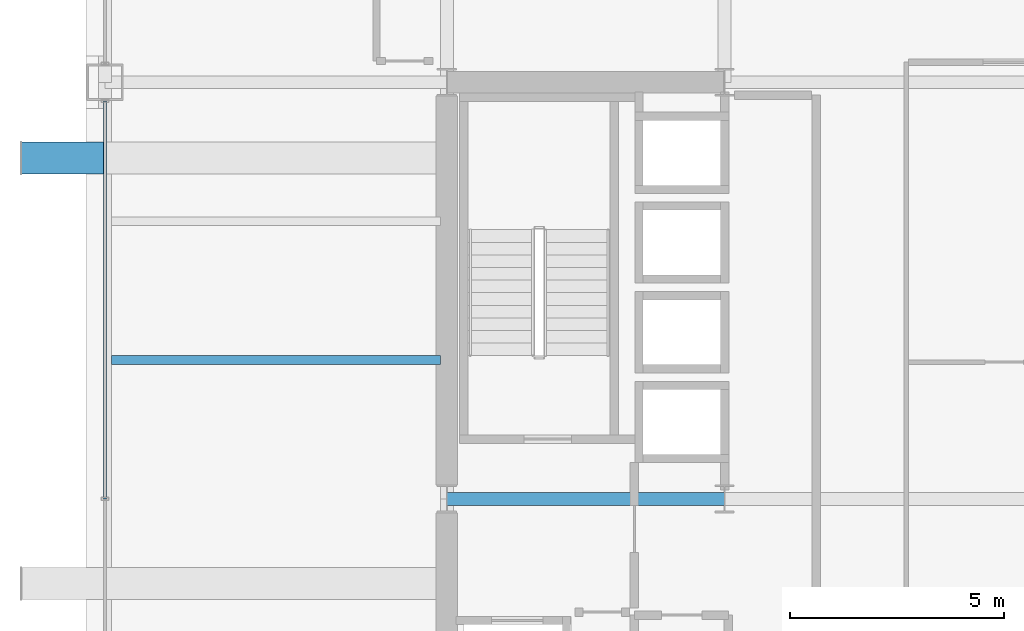
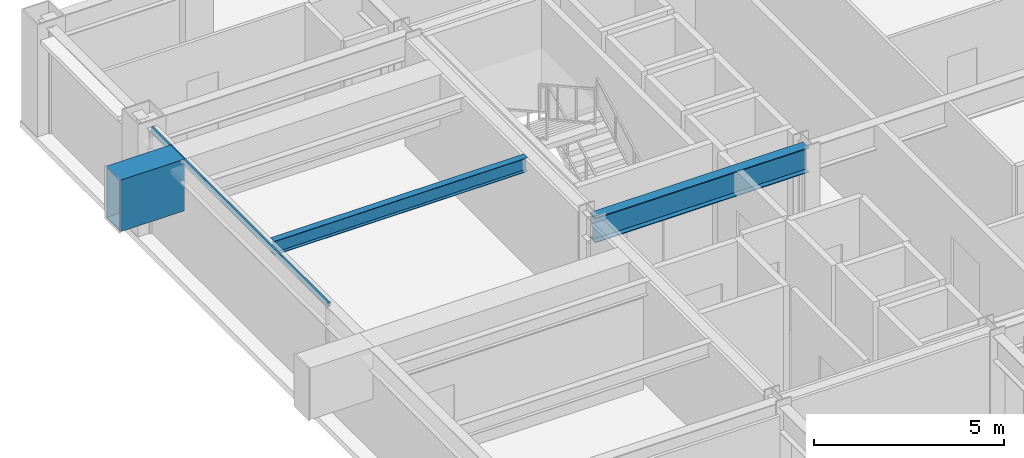
# One storey, part 7 of 28: 3 beams, 1 member, 1 element without a shape of its own.
"""IFC4 building model written with IfcOpenShell, lengths in metres."""

from ifc_helpers import new_model, si_unit, direction, frame, origin, origin_2d, place, context, subcontext, project, spatial, hollow_rectangle, i_section, extrude, material, layer, layer_set, material_profile, profile_set, type_object, element, aggregate, save


model = new_model("IFC4")

# Units and contexts
model_context = context("Model", 3, precision=1e-05, world=origin(), true_north=direction((0.0, 1.0)))
body_context = subcontext(model_context, "Body", "Model", "MODEL_VIEW")
ifc_project = project(units=[si_unit("LENGTHUNIT", "METRE"), si_unit("AREAUNIT", "SQUARE_METRE"), si_unit("VOLUMEUNIT", "CUBIC_METRE"), si_unit("PLANEANGLEUNIT", "RADIAN"), si_unit("MASSUNIT", "GRAM", prefix="KILO")], contexts=[model_context])

# Site, building, storey
site_placement = place(None, origin())
site = spatial("IfcSite", under=ifc_project, at=site_placement, CompositionType="ELEMENT")
building_placement = place(site_placement, origin())
building = spatial("IfcBuilding", under=site, at=building_placement, Name="Brelmoor Portico Tower", CompositionType="ELEMENT")
storey_placement = place(building_placement, frame((0.0, 0.0, 91.800048828125)))
storey = spatial("IfcBuildingStorey", under=building, at=storey_placement, Name="L23", CompositionType="ELEMENT", Elevation=91.800048828125)

# Beams
ifc_material_1 = material(Name="Steel Q355B", Category="steel")
ifc_material_profile_1 = material_profile(ifc_material_1, i_section(OverallWidth=0.199951171875, OverallDepth=0.449951171875, WebThickness=0.009033203125, FlangeThickness=0.013916015625, at=origin_2d()), Name="HN 450x200x9x14")
ifc_profile_set_1 = profile_set([ifc_material_profile_1], Name="Steel Q355B")
beam_type_1 = type_object("IfcBeamType", Name="BM-JS-450", PredefinedType="JOIST", material=ifc_profile_set_1)
beam_1_placement = place(storey_placement, frame((-22.39990234375, 3.25, 3.175048828125), z_axis=(1.0, 0.0, 0.0), x_axis=(0.0, 1.0, 0.0)))
element("IfcBeam", 1, at=beam_1_placement, inside=storey, type_object=beam_type_1, Name="L23 Secondary Wing Joist JS-W07", PredefinedType="JOIST", context=body_context, shape_type="SweptSolid", body=[
    extrude(i_section(OverallWidth=0.199951171875, OverallDepth=0.449951171875, WebThickness=0.009033203125, FlangeThickness=0.013916015625, at=origin_2d()), origin(), (0.0, 0.0, 1.0), 7.699951171875),
])
ifc_material_profile_2 = material_profile(ifc_material_1, hollow_rectangle(XDim=0.75, YDim=1.659912109375, WallThickness=0.0419921875, at=origin_2d()), Name="BOX 750x1660x42")
ifc_profile_set_2 = profile_set([ifc_material_profile_2], Name="Steel Q355B")
beam_type_2 = type_object("IfcBeamType", Name="BM-PF-CANT", PredefinedType="BEAM", material=ifc_profile_set_2)
beam_2_placement = place(storey_placement, frame((-24.5, 7.97998046875, 2.570068359375), z_axis=(1.0, 0.0, 0.0), x_axis=(0.0, 1.0, 0.0)))
element("IfcBeam", 2, at=beam_2_placement, inside=storey, type_object=beam_type_2, Name="L23 Picture-Frame Outrigger Transfer Cantilever PFB-06", PredefinedType="BEAM", context=body_context, shape_type="SweptSolid", body=[
    extrude(hollow_rectangle(XDim=0.75, YDim=1.659912109375, WallThickness=0.0419921875, at=origin_2d()), origin(), (0.0, 0.0, 1.0), 1.949951171875),
])
ifc_material_profile_3 = material_profile(ifc_material_1, i_section(OverallWidth=0.300048828125, OverallDepth=0.800048828125, WebThickness=0.013916015625, FlangeThickness=0.02587890625, at=origin_2d()), Name="HN 800x300x14x26")
ifc_profile_set_3 = profile_set([ifc_material_profile_3], Name="Steel Q355B")
beam_type_3 = type_object("IfcBeamType", Name="BM-PG-800", PredefinedType="BEAM", material=ifc_profile_set_3)
beam_3_placement = place(storey_placement, frame((-14.550048828125, 0.0, 3.0), z_axis=(1.0, 0.0, 0.0), x_axis=(0.0, 1.0, 0.0)))
element("IfcBeam", 3, at=beam_3_placement, inside=storey, type_object=beam_type_3, Name="L23 Primary Floor Girder PG-18", PredefinedType="BEAM", context=body_context, shape_type="SweptSolid", body=[
    extrude(i_section(OverallWidth=0.300048828125, OverallDepth=0.800048828125, WebThickness=0.013916015625, FlangeThickness=0.02587890625, at=origin_2d()), origin(), (0.0, 0.0, 1.0), 6.5),
])

# Curtain wall, member
ifc_material_2 = material(Name="Anodised Aluminium Alloy 6063-T6", Category="aluminium")
ifc_layer = layer(ifc_material_2, 0.179931640625)
ifc_layer_set = layer_set([ifc_layer], Name="Anodised Aluminium Alloy 6063-T6")
curtain_wall_type = type_object("IfcCurtainWallType", Name="CW-TOWER-Z2-XB", PredefinedType="NOTDEFINED", material=ifc_layer_set)
curtain_wall_placement = place(storey_placement, origin())
curtain_wall = element("IfcCurtainWall", 4, at=curtain_wall_placement, inside=storey, type_object=curtain_wall_type, Name="L23 Curtain Wall CW-L23-03-2", PredefinedType="NOTDEFINED")
ifc_material_profile_4 = material_profile(ifc_material_2, hollow_rectangle(XDim=0.06494140625, YDim=0.139892578125, WallThickness=0.00390625, at=origin_2d()), Name="ALU TRANSOM 65x140")
ifc_profile_set_4 = profile_set([ifc_material_profile_4], Name="Anodised Aluminium Alloy 6063-T6")
member_type = type_object("IfcMemberType", Name="MB-CW-TRAN-140", PredefinedType="USERDEFINED", material=ifc_profile_set_4)
member_placement = place(storey_placement, frame((-22.550048828125, 0.0, 3.329833984375), z_axis=(0.0, 1.0, 0.0), x_axis=(-1.0, 0.0, 0.0)))
member = element("IfcMember", 5, at=member_placement, type_object=member_type, Name="CW-L23-03-2 Transom 1-01", ObjectType="TRANSOM", PredefinedType="USERDEFINED", context=body_context, shape_type="SweptSolid", body=[
    extrude(hollow_rectangle(XDim=0.06494140625, YDim=0.139892578125, WallThickness=0.00390625, at=origin_2d()), origin(), (0.0, 0.0, 1.0), 9.31494140625),
])
aggregate(curtain_wall, [member])

save(model, "model.ifc")
